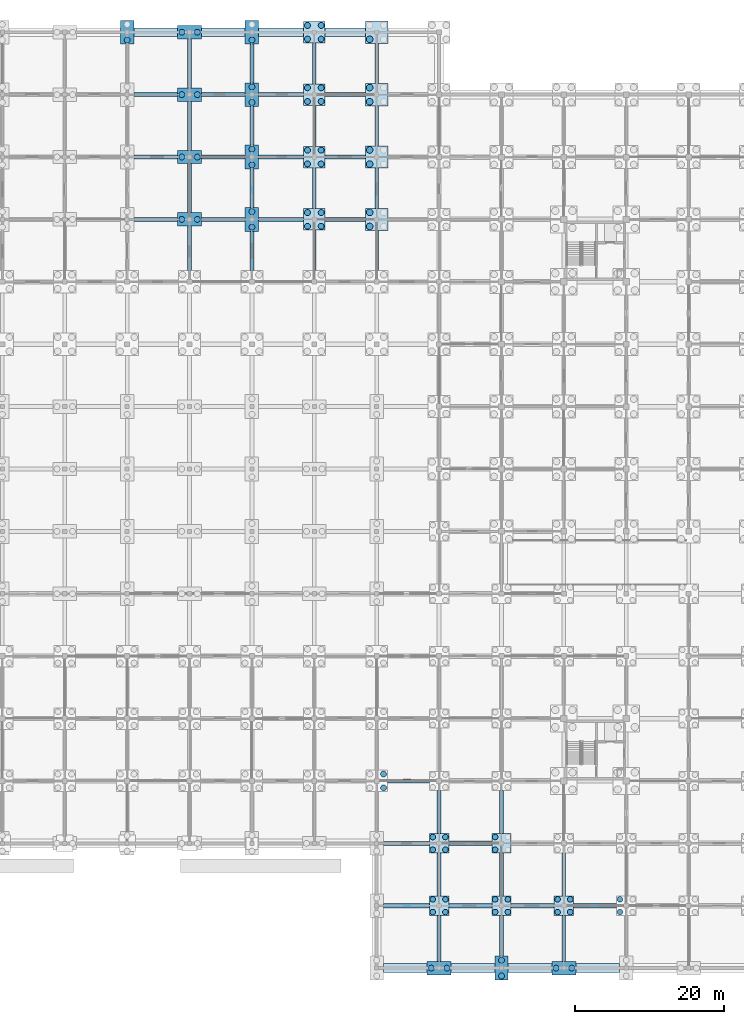
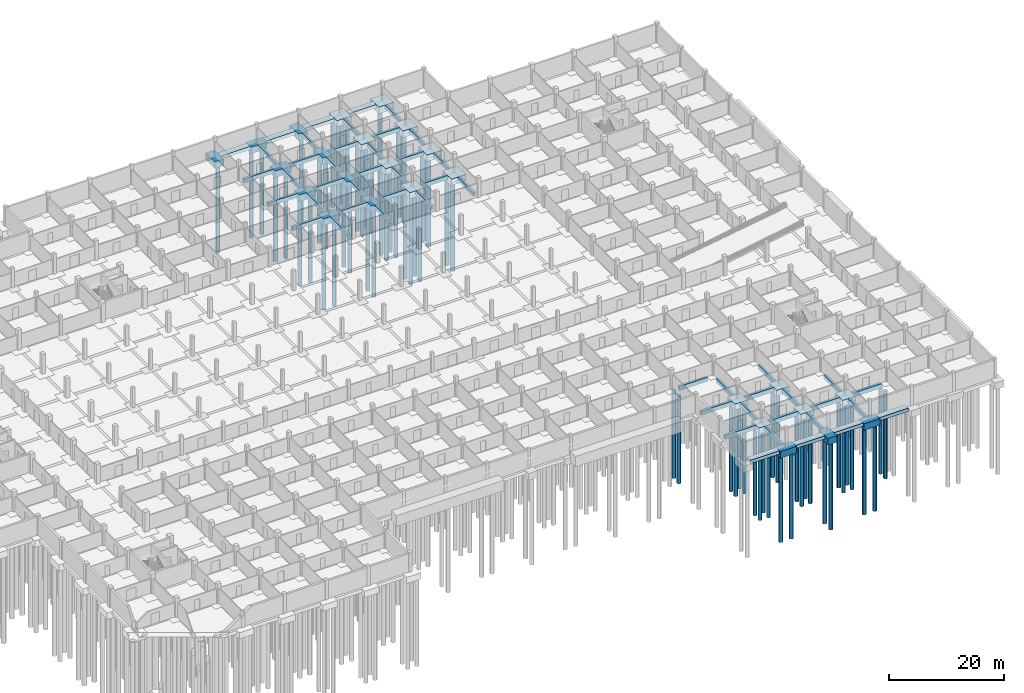
# One storey, part 11 of 43: 76 footings, 67 piles.
"""IFC4 building model written with IfcOpenShell, lengths in metres."""

from ifc_helpers import new_model, si_unit, direction, frame, origin, origin_2d, place, context, subcontext, project, spatial, rectangle, circle, extrude, material, material_profile, profile_set, type_object, element, save


model = new_model("IFC4")

# Units and contexts
model_context = context("Model", 3, precision=1e-05, world=origin(), true_north=direction((0.0, 1.0)))
body_context = subcontext(model_context, "Body", "Model", "MODEL_VIEW")
ifc_project = project(units=[si_unit("LENGTHUNIT", "METRE"), si_unit("AREAUNIT", "SQUARE_METRE"), si_unit("VOLUMEUNIT", "CUBIC_METRE"), si_unit("PLANEANGLEUNIT", "RADIAN"), si_unit("MASSUNIT", "GRAM", prefix="KILO")], contexts=[model_context])

# Site, building, storey
site_placement = place(None, origin())
site = spatial("IfcSite", under=ifc_project, at=site_placement, CompositionType="ELEMENT")
building_placement = place(site_placement, origin())
building = spatial("IfcBuilding", under=site, at=building_placement, Name="Varnapada Polytechnic", CompositionType="ELEMENT")
storey_placement = place(building_placement, frame((0.0, 0.0, -4.199951171875)))
storey = spatial("IfcBuildingStorey", under=building, at=storey_placement, Name="B1", CompositionType="ELEMENT", Elevation=-4.199951171875)

# Piles
ifc_material = material(Name="Concrete C40/50", Category="concrete")
ifc_material_profile_1 = material_profile(ifc_material, circle(Radius=0.375, at=origin_2d()), Name="BP 750")
ifc_profile_set_1 = profile_set([ifc_material_profile_1], Name="Concrete C40/50")
pile_type_1 = type_object("IfcPileType", Name="Bored Pile BP 750", PredefinedType="BORED", material=ifc_profile_set_1)
for number, where, z_axis, x_axis, name in (
    (1, (133.550048828125, 7.550048828125, -1.150146484375), (0.0, 0.0, -1.0), (1.0, 0.0, 0.0), "Bored pile P-05 under CAP-16-01 (1)"),
    (2, (135.25, 7.550048828125, -1.150146484375), (0.0, 0.0, -1.0), (1.0, 0.0, 0.0), "Bored pile P-05 under CAP-16-01 (2)"),
    (3, (133.550048828125, 9.25, -1.150146484375), (0.0, 0.0, -1.0), (1.0, 0.0, 0.0), "Bored pile P-05 under CAP-16-01 (3)"),
    (4, (135.25, 9.25, -1.150146484375), (0.0, 0.0, -1.0), (1.0, 0.0, 0.0), "Bored pile P-05 under CAP-16-01 (4)"),
    (5, (133.550048828125, 15.949951171875, -1.150146484375), (0.0, 0.0, -1.0), (1.0, 0.0, 0.0), "Bored pile P-05 under CAP-16-02 (1)"),
    (6, (135.25, 15.949951171875, -1.150146484375), (0.0, 0.0, -1.0), (1.0, 0.0, 0.0), "Bored pile P-05 under CAP-16-02 (2)"),
    (7, (133.550048828125, 17.64990234375, -1.150146484375), (0.0, 0.0, -1.0), (1.0, 0.0, 0.0), "Bored pile P-05 under CAP-16-02 (3)"),
    (8, (135.25, 17.64990234375, -1.150146484375), (0.0, 0.0, -1.0), (1.0, 0.0, 0.0), "Bored pile P-05 under CAP-16-02 (4)"),
    (9, (141.949951171875, 7.550048828125, -1.150146484375), (0.0, 0.0, -1.0), (1.0, 0.0, 0.0), "Bored pile P-05 under CAP-17-01 (1)"),
    (10, (143.64990234375, 7.550048828125, -1.150146484375), (0.0, 0.0, -1.0), (1.0, 0.0, 0.0), "Bored pile P-05 under CAP-17-01 (2)"),
    (11, (141.949951171875, 9.25, -1.150146484375), (0.0, 0.0, -1.0), (1.0, 0.0, 0.0), "Bored pile P-05 under CAP-17-01 (3)"),
    (12, (143.64990234375, 9.25, -1.150146484375), (0.0, 0.0, -1.0), (1.0, 0.0, 0.0), "Bored pile P-05 under CAP-17-01 (4)"),
    (13, (141.949951171875, 15.949951171875, -1.150146484375), (0.0, 0.0, -1.0), (1.0, 0.0, 0.0), "Bored pile P-05 under CAP-17-02 (1)"),
    (14, (141.949951171875, 17.64990234375, -1.150146484375), (0.0, 0.0, -1.0), (1.0, 0.0, 0.0), "Bored pile P-05 under CAP-17-02 (3)"),
    (15, (150.35009765625, 7.550048828125, -1.150146484375), (0.0, 0.0, -1.0), (1.0, 0.0, 0.0), "Bored pile P-05 under CAP-18-01 (1)"),
    (16, (152.050048828125, 7.550048828125, -1.150146484375), (0.0, 0.0, -1.0), (1.0, 0.0, 0.0), "Bored pile P-05 under CAP-18-01 (2)"),
    (17, (150.35009765625, 9.25, -1.150146484375), (0.0, 0.0, -1.0), (1.0, 0.0, 0.0), "Bored pile P-05 under CAP-18-01 (3)"),
    (18, (152.050048828125, 9.25, -1.150146484375), (0.0, 0.0, -1.0), (1.0, 0.0, 0.0), "Bored pile P-05 under CAP-18-01 (4)"),
    (19, (158.75, 7.550048828125, -1.150146484375), (0.0, 0.0, -1.0), (1.0, 0.0, 0.0), "Bored pile P-05 under CAP-19-01 (1)"),
    (20, (158.75, 9.25, -1.150146484375), (0.0, 0.0, -1.0), (1.0, 0.0, 0.0), "Bored pile P-05 under CAP-19-01 (3)"),
):
    element("IfcPile", number, at=place(storey_placement, frame(where, z_axis=z_axis, x_axis=x_axis)), inside=storey, type_object=pile_type_1, Name=name, PredefinedType="BORED", context=body_context, shape_type="SweptSolid", body=[
        extrude(circle(Radius=0.375, at=origin_2d()), origin(), (0.0, 0.0, 1.0), 18.64990234375),
    ])
ifc_material_profile_2 = material_profile(ifc_material, circle(Radius=0.39990234375, at=origin_2d()), Name="BP 800")
ifc_profile_set_2 = profile_set([ifc_material_profile_2], Name="Concrete C40/50")
pile_type_2 = type_object("IfcPileType", Name="Bored Pile BP 800", PredefinedType="BORED", material=ifc_profile_set_2)
for number, where, z_axis, x_axis, name in (
    (21, (92.39990234375, 124.949951171875, -1.300048828125), (0.0, 0.0, -1.0), (1.0, 0.0, 0.0), "Bored pile P-03 under CAP-11-15 (1)"),
    (22, (99.75, 100.800048828125, -1.300048828125), (0.0, 0.0, -1.0), (1.0, 0.0, 0.0), "Bored pile P-03 under CAP-12-12 (1)"),
    (23, (101.85009765625, 100.800048828125, -1.300048828125), (0.0, 0.0, -1.0), (1.0, 0.0, 0.0), "Bored pile P-03 under CAP-12-12 (2)"),
    (24, (99.75, 109.199951171875, -1.300048828125), (0.0, 0.0, -1.0), (1.0, 0.0, 0.0), "Bored pile P-03 under CAP-12-13 (1)"),
    (25, (101.85009765625, 109.199951171875, -1.300048828125), (0.0, 0.0, -1.0), (1.0, 0.0, 0.0), "Bored pile P-03 under CAP-12-13 (2)"),
    (26, (99.75, 117.60009765625, -1.300048828125), (0.0, 0.0, -1.0), (1.0, 0.0, 0.0), "Bored pile P-03 under CAP-12-14 (1)"),
    (27, (101.85009765625, 117.60009765625, -1.300048828125), (0.0, 0.0, -1.0), (1.0, 0.0, 0.0), "Bored pile P-03 under CAP-12-14 (2)"),
    (28, (99.75, 126.0, -1.300048828125), (0.0, 0.0, -1.0), (1.0, 0.0, 0.0), "Bored pile P-03 under CAP-12-15 (1)"),
    (29, (101.85009765625, 126.0, -1.300048828125), (0.0, 0.0, -1.0), (1.0, 0.0, 0.0), "Bored pile P-03 under CAP-12-15 (2)"),
    (30, (109.199951171875, 99.75, -1.300048828125), (0.0, 0.0, -1.0), (1.0, 0.0, 0.0), "Bored pile P-03 under CAP-13-12 (1)"),
    (31, (109.199951171875, 101.85009765625, -1.300048828125), (0.0, 0.0, -1.0), (1.0, 0.0, 0.0), "Bored pile P-03 under CAP-13-12 (2)"),
    (32, (109.199951171875, 108.14990234375, -1.300048828125), (0.0, 0.0, -1.0), (1.0, 0.0, 0.0), "Bored pile P-03 under CAP-13-13 (1)"),
    (33, (109.199951171875, 110.25, -1.300048828125), (0.0, 0.0, -1.0), (1.0, 0.0, 0.0), "Bored pile P-03 under CAP-13-13 (2)"),
    (34, (109.199951171875, 116.550048828125, -1.300048828125), (0.0, 0.0, -1.0), (1.0, 0.0, 0.0), "Bored pile P-03 under CAP-13-14 (1)"),
    (35, (109.199951171875, 118.64990234375, -1.300048828125), (0.0, 0.0, -1.0), (1.0, 0.0, 0.0), "Bored pile P-03 under CAP-13-14 (2)"),
    (36, (109.199951171875, 124.949951171875, -1.300048828125), (0.0, 0.0, -1.0), (1.0, 0.0, 0.0), "Bored pile P-03 under CAP-13-15 (1)"),
):
    element("IfcPile", number, at=place(storey_placement, frame(where, z_axis=z_axis, x_axis=x_axis)), inside=storey, type_object=pile_type_2, Name=name, PredefinedType="BORED", context=body_context, shape_type="SweptSolid", body=[
        extrude(circle(Radius=0.39990234375, at=origin_2d()), origin(), (0.0, 0.0, 1.0), 18.5),
    ])
for number, where, z_axis, x_axis, name in (
    (37, (116.679931640625, 99.8798828125, -1.199951171875), (0.0, 0.0, -1.0), (1.0, 0.0, 0.0), "Bored pile P-03 under CAP-14-12 (1)"),
    (38, (118.52001953125, 99.8798828125, -1.199951171875), (0.0, 0.0, -1.0), (1.0, 0.0, 0.0), "Bored pile P-03 under CAP-14-12 (2)"),
    (39, (116.679931640625, 101.719970703125, -1.199951171875), (0.0, 0.0, -1.0), (1.0, 0.0, 0.0), "Bored pile P-03 under CAP-14-12 (3)"),
    (40, (118.52001953125, 101.719970703125, -1.199951171875), (0.0, 0.0, -1.0), (1.0, 0.0, 0.0), "Bored pile P-03 under CAP-14-12 (4)"),
    (41, (116.679931640625, 108.280029296875, -1.199951171875), (0.0, 0.0, -1.0), (1.0, 0.0, 0.0), "Bored pile P-03 under CAP-14-13 (1)"),
    (42, (118.52001953125, 108.280029296875, -1.199951171875), (0.0, 0.0, -1.0), (1.0, 0.0, 0.0), "Bored pile P-03 under CAP-14-13 (2)"),
    (43, (116.679931640625, 110.1201171875, -1.199951171875), (0.0, 0.0, -1.0), (1.0, 0.0, 0.0), "Bored pile P-03 under CAP-14-13 (3)"),
    (44, (118.52001953125, 110.1201171875, -1.199951171875), (0.0, 0.0, -1.0), (1.0, 0.0, 0.0), "Bored pile P-03 under CAP-14-13 (4)"),
    (45, (116.679931640625, 116.679931640625, -1.199951171875), (0.0, 0.0, -1.0), (1.0, 0.0, 0.0), "Bored pile P-03 under CAP-14-14 (1)"),
    (46, (118.52001953125, 116.679931640625, -1.199951171875), (0.0, 0.0, -1.0), (1.0, 0.0, 0.0), "Bored pile P-03 under CAP-14-14 (2)"),
    (47, (116.679931640625, 118.52001953125, -1.199951171875), (0.0, 0.0, -1.0), (1.0, 0.0, 0.0), "Bored pile P-03 under CAP-14-14 (3)"),
    (48, (118.52001953125, 118.52001953125, -1.199951171875), (0.0, 0.0, -1.0), (1.0, 0.0, 0.0), "Bored pile P-03 under CAP-14-14 (4)"),
    (49, (116.679931640625, 125.080078125, -1.199951171875), (0.0, 0.0, -1.0), (1.0, 0.0, 0.0), "Bored pile P-03 under CAP-14-15 (1)"),
    (50, (118.52001953125, 125.080078125, -1.199951171875), (0.0, 0.0, -1.0), (1.0, 0.0, 0.0), "Bored pile P-03 under CAP-14-15 (2)"),
    (51, (116.679931640625, 126.919921875, -1.199951171875), (0.0, 0.0, -1.0), (1.0, 0.0, 0.0), "Bored pile P-03 under CAP-14-15 (3)"),
    (52, (118.52001953125, 126.919921875, -1.199951171875), (0.0, 0.0, -1.0), (1.0, 0.0, 0.0), "Bored pile P-03 under CAP-14-15 (4)"),
    (53, (126.919921875, 24.280029296875, -1.199951171875), (0.0, 0.0, -1.0), (1.0, 0.0, 0.0), "Bored pile P-03 under CAP-15-03 (2)"),
    (54, (126.919921875, 26.1201171875, -1.199951171875), (0.0, 0.0, -1.0), (1.0, 0.0, 0.0), "Bored pile P-03 under CAP-15-03 (4)"),
):
    element("IfcPile", number, at=place(storey_placement, frame(where, z_axis=z_axis, x_axis=x_axis)), inside=storey, type_object=pile_type_2, Name=name, PredefinedType="BORED", context=body_context, shape_type="SweptSolid", body=[
        extrude(circle(Radius=0.39990234375, at=origin_2d()), origin(), (0.0, 0.0, 1.0), 18.60009765625),
    ])
for number, where, z_axis, x_axis, name in (
    (55, (133.35009765625, 0.0, -1.300048828125), (0.0, 0.0, -1.0), (1.0, 0.0, 0.0), "Bored pile P-03 under CAP-16-00 (1)"),
    (56, (135.449951171875, 0.0, -1.300048828125), (0.0, 0.0, -1.0), (1.0, 0.0, 0.0), "Bored pile P-03 under CAP-16-00 (2)"),
    (57, (142.800048828125, -1.050048828125, -1.300048828125), (0.0, 0.0, -1.0), (1.0, 0.0, 0.0), "Bored pile P-03 under CAP-17-00 (1)"),
    (58, (142.800048828125, 1.050048828125, -1.300048828125), (0.0, 0.0, -1.0), (1.0, 0.0, 0.0), "Bored pile P-03 under CAP-17-00 (2)"),
    (59, (150.14990234375, 0.0, -1.300048828125), (0.0, 0.0, -1.0), (1.0, 0.0, 0.0), "Bored pile P-03 under CAP-18-00 (1)"),
    (60, (152.25, 0.0, -1.300048828125), (0.0, 0.0, -1.0), (1.0, 0.0, 0.0), "Bored pile P-03 under CAP-18-00 (2)"),
):
    element("IfcPile", number, at=place(storey_placement, frame(where, z_axis=z_axis, x_axis=x_axis)), inside=storey, type_object=pile_type_2, Name=name, PredefinedType="BORED", context=body_context, shape_type="SweptSolid", body=[
        extrude(circle(Radius=0.39990234375, at=origin_2d()), origin(), (0.0, 0.0, 1.0), 18.5),
    ])
ifc_material_profile_3 = material_profile(ifc_material, circle(Radius=0.449951171875, at=origin_2d()), Name="BP 900")
ifc_profile_set_3 = profile_set([ifc_material_profile_3], Name="Concrete C40/50")
pile_type_3 = type_object("IfcPileType", Name="Bored Pile BP 900", PredefinedType="BORED", material=ifc_profile_set_3)
for number, where, z_axis, x_axis, name in (
    (61, (125.050048828125, 99.85009765625, -1.300048828125), (0.0, 0.0, -1.0), (1.0, 0.0, 0.0), "Bored pile P-02 under CAP-15-12 (1)"),
    (62, (125.050048828125, 101.75, -1.300048828125), (0.0, 0.0, -1.0), (1.0, 0.0, 0.0), "Bored pile P-02 under CAP-15-12 (3)"),
    (63, (125.050048828125, 108.25, -1.300048828125), (0.0, 0.0, -1.0), (1.0, 0.0, 0.0), "Bored pile P-02 under CAP-15-13 (1)"),
    (64, (125.050048828125, 110.14990234375, -1.300048828125), (0.0, 0.0, -1.0), (1.0, 0.0, 0.0), "Bored pile P-02 under CAP-15-13 (3)"),
    (65, (125.050048828125, 116.64990234375, -1.300048828125), (0.0, 0.0, -1.0), (1.0, 0.0, 0.0), "Bored pile P-02 under CAP-15-14 (1)"),
    (66, (125.050048828125, 118.550048828125, -1.300048828125), (0.0, 0.0, -1.0), (1.0, 0.0, 0.0), "Bored pile P-02 under CAP-15-14 (3)"),
    (67, (125.050048828125, 125.050048828125, -1.300048828125), (0.0, 0.0, -1.0), (1.0, 0.0, 0.0), "Bored pile P-02 under CAP-15-15 (1)"),
):
    element("IfcPile", number, at=place(storey_placement, frame(where, z_axis=z_axis, x_axis=x_axis)), inside=storey, type_object=pile_type_3, Name=name, PredefinedType="BORED", context=body_context, shape_type="SweptSolid", body=[
        extrude(circle(Radius=0.449951171875, at=origin_2d()), origin(), (0.0, 0.0, 1.0), 18.5),
    ])

# Footings
footing_type_1 = type_object("IfcFootingType", Name="Footing GB-01", PredefinedType="FOOTING_BEAM", material=ifc_material)
for number, where, z_axis, x_axis, name in (
    (68, (138.60009765625, 8.39990234375, -0.89990234375), (0.0, 0.0, 1.0), (1.0, 0.0, 0.0), "Ground footing beam GB-01 X 17-18"),
    (69, (138.60009765625, 16.800048828125, -0.89990234375), (0.0, 0.0, 1.0), (1.0, 0.0, 0.0), "Ground footing beam GB-01 X 17-18"),
    (70, (147.0, 8.39990234375, -0.89990234375), (0.0, 0.0, 1.0), (1.0, 0.0, 0.0), "Ground footing beam GB-01 X 18-19"),
    (71, (155.39990234375, 8.39990234375, -0.89990234375), (0.0, 0.0, 1.0), (1.0, 0.0, 0.0), "Ground footing beam GB-01 X 19-20"),
):
    element("IfcFooting", number, at=place(storey_placement, frame(where, z_axis=z_axis, x_axis=x_axis)), inside=storey, type_object=footing_type_1, Name=name, PredefinedType="FOOTING_BEAM", context=body_context, shape_type="SweptSolid", body=[
        extrude(rectangle(XDim=5.800048828125, YDim=0.60009765625, at=origin_2d()), origin(), (0.0, 0.0, 1.0), 0.89990234375),
    ])
footing_type_2 = type_object("IfcFootingType", Name="Footing GB-02", PredefinedType="FOOTING_BEAM", material=ifc_material)
footing_1_placement = place(storey_placement, frame((100.800048828125, 96.89990234375, -0.80029296875), z_axis=(0.0, 0.0, 1.0), x_axis=(0.0, 1.0, 0.0)))
element("IfcFooting", 72, at=footing_1_placement, inside=storey, type_object=footing_type_2, Name="Ground footing beam GB-02 Y 12-13", PredefinedType="FOOTING_BEAM", context=body_context, shape_type="SweptSolid", body=[
    extrude(rectangle(XDim=6.0, YDim=0.5, at=origin_2d()), origin(), (0.0, 0.0, 1.0), 0.800048828125),
])
for number, where, z_axis, x_axis, name in (
    (73, (100.800048828125, 105.0, -0.80029296875), (0.0, 0.0, 1.0), (0.0, 1.0, 0.0), "Ground footing beam GB-02 Y 13-14"),
    (74, (100.800048828125, 113.39990234375, -0.80029296875), (0.0, 0.0, 1.0), (0.0, 1.0, 0.0), "Ground footing beam GB-02 Y 14-15"),
    (75, (100.800048828125, 121.800048828125, -0.80029296875), (0.0, 0.0, 1.0), (0.0, 1.0, 0.0), "Ground footing beam GB-02 Y 15-16"),
):
    element("IfcFooting", number, at=place(storey_placement, frame(where, z_axis=z_axis, x_axis=x_axis)), inside=storey, type_object=footing_type_2, Name=name, PredefinedType="FOOTING_BEAM", context=body_context, shape_type="SweptSolid", body=[
        extrude(rectangle(XDim=6.60009765625, YDim=0.5, at=origin_2d()), origin(), (0.0, 0.0, 1.0), 0.800048828125),
    ])
footing_2_placement = place(storey_placement, frame((109.199951171875, 96.550048828125, -0.80029296875), z_axis=(0.0, 0.0, 1.0), x_axis=(0.0, 1.0, 0.0)))
element("IfcFooting", 76, at=footing_2_placement, inside=storey, type_object=footing_type_2, Name="Ground footing beam GB-02 Y 12-13", PredefinedType="FOOTING_BEAM", context=body_context, shape_type="SweptSolid", body=[
    extrude(rectangle(XDim=5.300048828125, YDim=0.5, at=origin_2d()), origin(), (0.0, 0.0, 1.0), 0.800048828125),
])
for number, where, z_axis, x_axis, name in (
    (77, (109.199951171875, 105.0, -0.80029296875), (0.0, 0.0, 1.0), (0.0, 1.0, 0.0), "Ground footing beam GB-02 Y 13-14"),
    (78, (109.199951171875, 113.39990234375, -0.80029296875), (0.0, 0.0, 1.0), (0.0, 1.0, 0.0), "Ground footing beam GB-02 Y 14-15"),
    (79, (109.199951171875, 121.800048828125, -0.80029296875), (0.0, 0.0, 1.0), (0.0, 1.0, 0.0), "Ground footing beam GB-02 Y 15-16"),
):
    element("IfcFooting", number, at=place(storey_placement, frame(where, z_axis=z_axis, x_axis=x_axis)), inside=storey, type_object=footing_type_2, Name=name, PredefinedType="FOOTING_BEAM", context=body_context, shape_type="SweptSolid", body=[
        extrude(rectangle(XDim=5.199951171875, YDim=0.5, at=origin_2d()), origin(), (0.0, 0.0, 1.0), 0.800048828125),
    ])
footing_3_placement = place(storey_placement, frame((117.60009765625, 96.625, -0.80029296875), z_axis=(0.0, 0.0, 1.0), x_axis=(0.0, 1.0, 0.0)))
element("IfcFooting", 80, at=footing_3_placement, inside=storey, type_object=footing_type_2, Name="Ground footing beam GB-02 Y 12-13", PredefinedType="FOOTING_BEAM", context=body_context, shape_type="SweptSolid", body=[
    extrude(rectangle(XDim=5.449951171875, YDim=0.5, at=origin_2d()), origin(), (0.0, 0.0, 1.0), 0.800048828125),
])
for number, where, z_axis, x_axis, name in (
    (81, (117.60009765625, 105.0, -0.80029296875), (0.0, 0.0, 1.0), (0.0, 1.0, 0.0), "Ground footing beam GB-02 Y 13-14"),
    (82, (117.60009765625, 113.39990234375, -0.80029296875), (0.0, 0.0, 1.0), (0.0, 1.0, 0.0), "Ground footing beam GB-02 Y 14-15"),
    (83, (117.60009765625, 121.800048828125, -0.80029296875), (0.0, 0.0, 1.0), (0.0, 1.0, 0.0), "Ground footing beam GB-02 Y 15-16"),
):
    element("IfcFooting", number, at=place(storey_placement, frame(where, z_axis=z_axis, x_axis=x_axis)), inside=storey, type_object=footing_type_2, Name=name, PredefinedType="FOOTING_BEAM", context=body_context, shape_type="SweptSolid", body=[
        extrude(rectangle(XDim=5.5, YDim=0.5, at=origin_2d()), origin(), (0.0, 0.0, 1.0), 0.800048828125),
    ])
for number, where, z_axis, x_axis, name in (
    (84, (126.0, 96.60009765625, -0.80029296875), (0.0, 0.0, 1.0), (0.0, 1.0, 0.0), "Ground footing beam GB-02 Y 12-13"),
    (85, (126.0, 105.0, -0.80029296875), (0.0, 0.0, 1.0), (0.0, 1.0, 0.0), "Ground footing beam GB-02 Y 13-14"),
    (86, (126.0, 113.39990234375, -0.80029296875), (0.0, 0.0, 1.0), (0.0, 1.0, 0.0), "Ground footing beam GB-02 Y 14-15"),
    (87, (126.0, 121.800048828125, -0.80029296875), (0.0, 0.0, 1.0), (0.0, 1.0, 0.0), "Ground footing beam GB-02 Y 15-16"),
):
    element("IfcFooting", number, at=place(storey_placement, frame(where, z_axis=z_axis, x_axis=x_axis)), inside=storey, type_object=footing_type_2, Name=name, PredefinedType="FOOTING_BEAM", context=body_context, shape_type="SweptSolid", body=[
        extrude(rectangle(XDim=5.39990234375, YDim=0.5, at=origin_2d()), origin(), (0.0, 0.0, 1.0), 0.800048828125),
    ])
footing_4_placement = place(storey_placement, frame((134.39990234375, 4.0, -0.80029296875), z_axis=(0.0, 0.0, 1.0), x_axis=(0.0, 1.0, 0.0)))
element("IfcFooting", 88, at=footing_4_placement, inside=storey, type_object=footing_type_2, Name="Ground footing beam GB-02 Y 1-2", PredefinedType="FOOTING_BEAM", context=body_context, shape_type="SweptSolid", body=[
    extrude(rectangle(XDim=6.199951171875, YDim=0.5, at=origin_2d()), origin(), (0.0, 0.0, 1.0), 0.800048828125),
])
for number, where, z_axis, x_axis, name in (
    (89, (134.39990234375, 12.60009765625, -0.80029296875), (0.0, 0.0, 1.0), (0.0, 1.0, 0.0), "Ground footing beam GB-02 Y 2-3"),
    (90, (134.39990234375, 21.0, -0.80029296875), (0.0, 0.0, 1.0), (0.0, 1.0, 0.0), "Ground footing beam GB-02 Y 3-4"),
):
    element("IfcFooting", number, at=place(storey_placement, frame(where, z_axis=z_axis, x_axis=x_axis)), inside=storey, type_object=footing_type_2, Name=name, PredefinedType="FOOTING_BEAM", context=body_context, shape_type="SweptSolid", body=[
        extrude(rectangle(XDim=5.800048828125, YDim=0.5, at=origin_2d()), origin(), (0.0, 0.0, 1.0), 0.800048828125),
    ])
footing_5_placement = place(storey_placement, frame((142.800048828125, 4.35009765625, -0.80029296875), z_axis=(0.0, 0.0, 1.0), x_axis=(0.0, 1.0, 0.0)))
element("IfcFooting", 91, at=footing_5_placement, inside=storey, type_object=footing_type_2, Name="Ground footing beam GB-02 Y 1-2", PredefinedType="FOOTING_BEAM", context=body_context, shape_type="SweptSolid", body=[
    extrude(rectangle(XDim=5.5, YDim=0.5, at=origin_2d()), origin(), (0.0, 0.0, 1.0), 0.800048828125),
])
for number, where, z_axis, x_axis, name in (
    (92, (142.800048828125, 12.60009765625, -0.80029296875), (0.0, 0.0, 1.0), (0.0, 1.0, 0.0), "Ground footing beam GB-02 Y 2-3"),
    (93, (142.800048828125, 21.0, -0.80029296875), (0.0, 0.0, 1.0), (0.0, 1.0, 0.0), "Ground footing beam GB-02 Y 3-4"),
):
    element("IfcFooting", number, at=place(storey_placement, frame(where, z_axis=z_axis, x_axis=x_axis)), inside=storey, type_object=footing_type_2, Name=name, PredefinedType="FOOTING_BEAM", context=body_context, shape_type="SweptSolid", body=[
        extrude(rectangle(XDim=5.800048828125, YDim=0.5, at=origin_2d()), origin(), (0.0, 0.0, 1.0), 0.800048828125),
    ])
footing_6_placement = place(storey_placement, frame((151.199951171875, 4.0, -0.80029296875), z_axis=(0.0, 0.0, 1.0), x_axis=(0.0, 1.0, 0.0)))
element("IfcFooting", 94, at=footing_6_placement, inside=storey, type_object=footing_type_2, Name="Ground footing beam GB-02 Y 1-2", PredefinedType="FOOTING_BEAM", context=body_context, shape_type="SweptSolid", body=[
    extrude(rectangle(XDim=6.199951171875, YDim=0.5, at=origin_2d()), origin(), (0.0, 0.0, 1.0), 0.800048828125),
])
footing_7_placement = place(storey_placement, frame((151.199951171875, 12.60009765625, -0.80029296875), z_axis=(0.0, 0.0, 1.0), x_axis=(0.0, 1.0, 0.0)))
element("IfcFooting", 95, at=footing_7_placement, inside=storey, type_object=footing_type_2, Name="Ground footing beam GB-02 Y 2-3", PredefinedType="FOOTING_BEAM", context=body_context, shape_type="SweptSolid", body=[
    extrude(rectangle(XDim=5.800048828125, YDim=0.5, at=origin_2d()), origin(), (0.0, 0.0, 1.0), 0.800048828125),
])
footing_type_3 = type_object("IfcFootingType", Name="Footing GB-04", PredefinedType="FOOTING_BEAM", material=ifc_material)
for number, where, z_axis, x_axis, name in (
    (96, (96.25, 100.800048828125, -0.85009765625), (0.0, 0.0, 1.0), (1.0, 0.0, 0.0), "Ground footing beam GB-04 X 12-13"),
    (97, (96.25, 109.199951171875, -0.85009765625), (0.0, 0.0, 1.0), (1.0, 0.0, 0.0), "Ground footing beam GB-04 X 12-13"),
    (98, (96.25, 117.60009765625, -0.85009765625), (0.0, 0.0, 1.0), (1.0, 0.0, 0.0), "Ground footing beam GB-04 X 12-13"),
    (99, (105.35009765625, 100.800048828125, -0.85009765625), (0.0, 0.0, 1.0), (1.0, 0.0, 0.0), "Ground footing beam GB-04 X 13-14"),
    (100, (105.35009765625, 109.199951171875, -0.85009765625), (0.0, 0.0, 1.0), (1.0, 0.0, 0.0), "Ground footing beam GB-04 X 13-14"),
    (101, (105.35009765625, 117.60009765625, -0.85009765625), (0.0, 0.0, 1.0), (1.0, 0.0, 0.0), "Ground footing beam GB-04 X 13-14"),
):
    element("IfcFooting", number, at=place(storey_placement, frame(where, z_axis=z_axis, x_axis=x_axis)), inside=storey, type_object=footing_type_3, Name=name, PredefinedType="FOOTING_BEAM", context=body_context, shape_type="SweptSolid", body=[
        extrude(rectangle(XDim=5.89990234375, YDim=0.550048828125, at=origin_2d()), origin(), (0.0, 0.0, 1.0), 0.85009765625),
    ])
for number, where, z_axis, x_axis, name in (
    (102, (113.125, 100.800048828125, -0.85009765625), (0.0, 0.0, 1.0), (1.0, 0.0, 0.0), "Ground footing beam GB-04 X 14-15"),
    (103, (113.125, 109.199951171875, -0.85009765625), (0.0, 0.0, 1.0), (1.0, 0.0, 0.0), "Ground footing beam GB-04 X 14-15"),
    (104, (113.125, 117.60009765625, -0.85009765625), (0.0, 0.0, 1.0), (1.0, 0.0, 0.0), "Ground footing beam GB-04 X 14-15"),
):
    element("IfcFooting", number, at=place(storey_placement, frame(where, z_axis=z_axis, x_axis=x_axis)), inside=storey, type_object=footing_type_3, Name=name, PredefinedType="FOOTING_BEAM", context=body_context, shape_type="SweptSolid", body=[
        extrude(rectangle(XDim=6.050048828125, YDim=0.550048828125, at=origin_2d()), origin(), (0.0, 0.0, 1.0), 0.85009765625),
    ])
for number, where, z_axis, x_axis, name in (
    (105, (121.77490234375, 100.800048828125, -0.85009765625), (0.0, 0.0, 1.0), (1.0, 0.0, 0.0), "Ground footing beam GB-04 X 15-16"),
    (106, (121.77490234375, 109.199951171875, -0.85009765625), (0.0, 0.0, 1.0), (1.0, 0.0, 0.0), "Ground footing beam GB-04 X 15-16"),
    (107, (121.77490234375, 117.60009765625, -0.85009765625), (0.0, 0.0, 1.0), (1.0, 0.0, 0.0), "Ground footing beam GB-04 X 15-16"),
):
    element("IfcFooting", number, at=place(storey_placement, frame(where, z_axis=z_axis, x_axis=x_axis)), inside=storey, type_object=footing_type_3, Name=name, PredefinedType="FOOTING_BEAM", context=body_context, shape_type="SweptSolid", body=[
        extrude(rectangle(XDim=5.449951171875, YDim=0.550048828125, at=origin_2d()), origin(), (0.0, 0.0, 1.0), 0.85009765625),
    ])
for number, where, z_axis, x_axis, name in (
    (108, (130.0, 8.39990234375, -0.85009765625), (0.0, 0.0, 1.0), (1.0, 0.0, 0.0), "Ground footing beam GB-04 X 16-17"),
    (109, (130.0, 16.800048828125, -0.85009765625), (0.0, 0.0, 1.0), (1.0, 0.0, 0.0), "Ground footing beam GB-04 X 16-17"),
):
    element("IfcFooting", number, at=place(storey_placement, frame(where, z_axis=z_axis, x_axis=x_axis)), inside=storey, type_object=footing_type_3, Name=name, PredefinedType="FOOTING_BEAM", context=body_context, shape_type="SweptSolid", body=[
        extrude(rectangle(XDim=6.199951171875, YDim=0.550048828125, at=origin_2d()), origin(), (0.0, 0.0, 1.0), 0.85009765625),
    ])
footing_8_placement = place(storey_placement, frame((130.27490234375, 25.199951171875, -0.85009765625), z_axis=(0.0, 0.0, 1.0), x_axis=(1.0, 0.0, 0.0)))
element("IfcFooting", 110, at=footing_8_placement, inside=storey, type_object=footing_type_3, Name="Ground footing beam GB-04 X 16-17", PredefinedType="FOOTING_BEAM", context=body_context, shape_type="SweptSolid", body=[
    extrude(rectangle(XDim=5.64990234375, YDim=0.550048828125, at=origin_2d()), origin(), (0.0, 0.0, 1.0), 0.85009765625),
])
footing_type_4 = type_object("IfcFootingType", Name="Footing PC-03", PredefinedType="PILE_CAP", material=ifc_material)
for number, where, z_axis, x_axis, name in (
    (111, (126.0, 100.800048828125, -1.39990234375), (0.0, 0.0, 1.0), (1.0, 0.0, 0.0), "Pile cap PC-03 at grid 16/13"),
    (112, (126.0, 109.199951171875, -1.39990234375), (0.0, 0.0, 1.0), (1.0, 0.0, 0.0), "Pile cap PC-03 at grid 16/14"),
    (113, (126.0, 117.60009765625, -1.39990234375), (0.0, 0.0, 1.0), (1.0, 0.0, 0.0), "Pile cap PC-03 at grid 16/15"),
    (114, (126.0, 126.0, -1.39990234375), (0.0, 0.0, 1.0), (1.0, 0.0, 0.0), "Pile cap PC-03 at grid 16/16"),
):
    element("IfcFooting", number, at=place(storey_placement, frame(where, z_axis=z_axis, x_axis=x_axis)), inside=storey, type_object=footing_type_4, Name=name, PredefinedType="PILE_CAP", context=body_context, shape_type="SweptSolid", body=[
        extrude(rectangle(XDim=3.0, YDim=3.0, at=origin_2d()), origin(), (0.0, 0.0, 1.0), 1.39990234375),
    ])
footing_type_5 = type_object("IfcFootingType", Name="Footing PC-04", PredefinedType="PILE_CAP", material=ifc_material)
for number, where, z_axis, x_axis, name in (
    (115, (100.800048828125, 100.800048828125, -1.39990234375), (0.0, 0.0, 1.0), (1.0, 0.0, 0.0), "Pile cap PC-04 at grid 13/13"),
    (116, (100.800048828125, 109.199951171875, -1.39990234375), (0.0, 0.0, 1.0), (1.0, 0.0, 0.0), "Pile cap PC-04 at grid 13/14"),
    (117, (100.800048828125, 117.60009765625, -1.39990234375), (0.0, 0.0, 1.0), (1.0, 0.0, 0.0), "Pile cap PC-04 at grid 13/15"),
    (118, (100.800048828125, 126.0, -1.39990234375), (0.0, 0.0, 1.0), (1.0, 0.0, 0.0), "Pile cap PC-04 at grid 13/16"),
    (119, (134.39990234375, 0.0, -1.39990234375), (0.0, 0.0, 1.0), (1.0, 0.0, 0.0), "Pile cap PC-04 at grid 17/1"),
    (120, (151.199951171875, 0.0, -1.39990234375), (0.0, 0.0, 1.0), (1.0, 0.0, 0.0), "Pile cap PC-04 at grid 19/1"),
):
    element("IfcFooting", number, at=place(storey_placement, frame(where, z_axis=z_axis, x_axis=x_axis)), inside=storey, type_object=footing_type_5, Name=name, PredefinedType="PILE_CAP", context=body_context, shape_type="SweptSolid", body=[
        extrude(rectangle(XDim=3.199951171875, YDim=1.800048828125, at=origin_2d()), origin(), (0.0, 0.0, 1.0), 1.39990234375),
    ])
footing_type_6 = type_object("IfcFootingType", Name="Footing PC-05", PredefinedType="PILE_CAP", material=ifc_material)
for number, where, z_axis, x_axis, name in (
    (121, (92.39990234375, 126.0, -1.39990234375), (0.0, 0.0, 1.0), (1.0, 0.0, 0.0), "Pile cap PC-05 at grid 12/16"),
    (122, (109.199951171875, 100.800048828125, -1.39990234375), (0.0, 0.0, 1.0), (1.0, 0.0, 0.0), "Pile cap PC-05 at grid 14/13"),
    (123, (109.199951171875, 109.199951171875, -1.39990234375), (0.0, 0.0, 1.0), (1.0, 0.0, 0.0), "Pile cap PC-05 at grid 14/14"),
    (124, (109.199951171875, 117.60009765625, -1.39990234375), (0.0, 0.0, 1.0), (1.0, 0.0, 0.0), "Pile cap PC-05 at grid 14/15"),
    (125, (109.199951171875, 126.0, -1.39990234375), (0.0, 0.0, 1.0), (1.0, 0.0, 0.0), "Pile cap PC-05 at grid 14/16"),
    (126, (142.800048828125, 0.0, -1.39990234375), (0.0, 0.0, 1.0), (1.0, 0.0, 0.0), "Pile cap PC-05 at grid 18/1"),
):
    element("IfcFooting", number, at=place(storey_placement, frame(where, z_axis=z_axis, x_axis=x_axis)), inside=storey, type_object=footing_type_6, Name=name, PredefinedType="PILE_CAP", context=body_context, shape_type="SweptSolid", body=[
        extrude(rectangle(XDim=1.800048828125, YDim=3.199951171875, at=origin_2d()), origin(), (0.0, 0.0, 1.0), 1.39990234375),
    ])
footing_type_7 = type_object("IfcFootingType", Name="Footing PC-09", PredefinedType="PILE_CAP", material=ifc_material)
for number, where, z_axis, x_axis, name in (
    (127, (117.60009765625, 100.800048828125, -1.30029296875), (0.0, 0.0, 1.0), (1.0, 0.0, 0.0), "Pile cap PC-09 at grid 15/13"),
    (128, (117.60009765625, 109.199951171875, -1.30029296875), (0.0, 0.0, 1.0), (1.0, 0.0, 0.0), "Pile cap PC-09 at grid 15/14"),
    (129, (117.60009765625, 117.60009765625, -1.30029296875), (0.0, 0.0, 1.0), (1.0, 0.0, 0.0), "Pile cap PC-09 at grid 15/15"),
    (130, (117.60009765625, 126.0, -1.30029296875), (0.0, 0.0, 1.0), (1.0, 0.0, 0.0), "Pile cap PC-09 at grid 15/16"),
):
    element("IfcFooting", number, at=place(storey_placement, frame(where, z_axis=z_axis, x_axis=x_axis)), inside=storey, type_object=footing_type_7, Name=name, PredefinedType="PILE_CAP", context=body_context, shape_type="SweptSolid", body=[
        extrude(rectangle(XDim=2.89990234375, YDim=2.89990234375, at=origin_2d()), origin(), (0.0, 0.0, 1.0), 1.300048828125),
    ])
footing_type_8 = type_object("IfcFootingType", Name="Footing PC-10", PredefinedType="PILE_CAP", material=ifc_material)
for number, where, z_axis, x_axis, name in (
    (131, (134.39990234375, 8.39990234375, -1.25), (0.0, 0.0, 1.0), (1.0, 0.0, 0.0), "Pile cap PC-10 at grid 17/2"),
    (132, (134.39990234375, 16.800048828125, -1.25), (0.0, 0.0, 1.0), (1.0, 0.0, 0.0), "Pile cap PC-10 at grid 17/3"),
    (133, (142.800048828125, 8.39990234375, -1.25), (0.0, 0.0, 1.0), (1.0, 0.0, 0.0), "Pile cap PC-10 at grid 18/2"),
    (134, (142.800048828125, 16.800048828125, -1.25), (0.0, 0.0, 1.0), (1.0, 0.0, 0.0), "Pile cap PC-10 at grid 18/3"),
    (135, (151.199951171875, 8.39990234375, -1.25), (0.0, 0.0, 1.0), (1.0, 0.0, 0.0), "Pile cap PC-10 at grid 19/2"),
):
    element("IfcFooting", number, at=place(storey_placement, frame(where, z_axis=z_axis, x_axis=x_axis)), inside=storey, type_object=footing_type_8, Name=name, PredefinedType="PILE_CAP", context=body_context, shape_type="SweptSolid", body=[
        extrude(rectangle(XDim=2.60009765625, YDim=2.60009765625, at=origin_2d()), origin(), (0.0, 0.0, 1.0), 1.25),
    ])
footing_type_9 = type_object("IfcFootingType", Name="Footing SF-01", PredefinedType="STRIP_FOOTING", material=ifc_material)
for number, where, z_axis, x_axis, name in (
    (136, (96.25, 126.0, -0.7001953125), (0.0, 0.0, 1.0), (1.0, 0.0, 0.0), "Ground footing beam SF-01 X 12-13"),
    (137, (105.35009765625, 126.0, -0.7001953125), (0.0, 0.0, 1.0), (1.0, 0.0, 0.0), "Ground footing beam SF-01 X 13-14"),
):
    element("IfcFooting", number, at=place(storey_placement, frame(where, z_axis=z_axis, x_axis=x_axis)), inside=storey, type_object=footing_type_9, Name=name, PredefinedType="STRIP_FOOTING", context=body_context, shape_type="SweptSolid", body=[
        extrude(rectangle(XDim=5.89990234375, YDim=1.199951171875, at=origin_2d()), origin(), (0.0, 0.0, 1.0), 0.699951171875),
    ])
footing_9_placement = place(storey_placement, frame((113.125, 126.0, -0.7001953125), z_axis=(0.0, 0.0, 1.0), x_axis=(1.0, 0.0, 0.0)))
element("IfcFooting", 138, at=footing_9_placement, inside=storey, type_object=footing_type_9, Name="Ground footing beam SF-01 X 14-15", PredefinedType="STRIP_FOOTING", context=body_context, shape_type="SweptSolid", body=[
    extrude(rectangle(XDim=6.050048828125, YDim=1.199951171875, at=origin_2d()), origin(), (0.0, 0.0, 1.0), 0.699951171875),
])
footing_10_placement = place(storey_placement, frame((121.77490234375, 126.0, -0.7001953125), z_axis=(0.0, 0.0, 1.0), x_axis=(1.0, 0.0, 0.0)))
element("IfcFooting", 139, at=footing_10_placement, inside=storey, type_object=footing_type_9, Name="Ground footing beam SF-01 X 15-16", PredefinedType="STRIP_FOOTING", context=body_context, shape_type="SweptSolid", body=[
    extrude(rectangle(XDim=5.449951171875, YDim=1.199951171875, at=origin_2d()), origin(), (0.0, 0.0, 1.0), 0.699951171875),
])
for number, where, z_axis, x_axis, name in (
    (140, (129.85009765625, 0.0, -0.7001953125), (0.0, 0.0, 1.0), (1.0, 0.0, 0.0), "Ground footing beam SF-01 X 16-17"),
    (141, (138.949951171875, 0.0, -0.7001953125), (0.0, 0.0, 1.0), (1.0, 0.0, 0.0), "Ground footing beam SF-01 X 17-18"),
    (142, (146.64990234375, 0.0, -0.7001953125), (0.0, 0.0, 1.0), (1.0, 0.0, 0.0), "Ground footing beam SF-01 X 18-19"),
    (143, (155.75, 0.0, -0.7001953125), (0.0, 0.0, 1.0), (1.0, 0.0, 0.0), "Ground footing beam SF-01 X 19-20"),
):
    element("IfcFooting", number, at=place(storey_placement, frame(where, z_axis=z_axis, x_axis=x_axis)), inside=storey, type_object=footing_type_9, Name=name, PredefinedType="STRIP_FOOTING", context=body_context, shape_type="SweptSolid", body=[
        extrude(rectangle(XDim=5.89990234375, YDim=1.199951171875, at=origin_2d()), origin(), (0.0, 0.0, 1.0), 0.699951171875),
    ])

save(model, "model.ifc")
